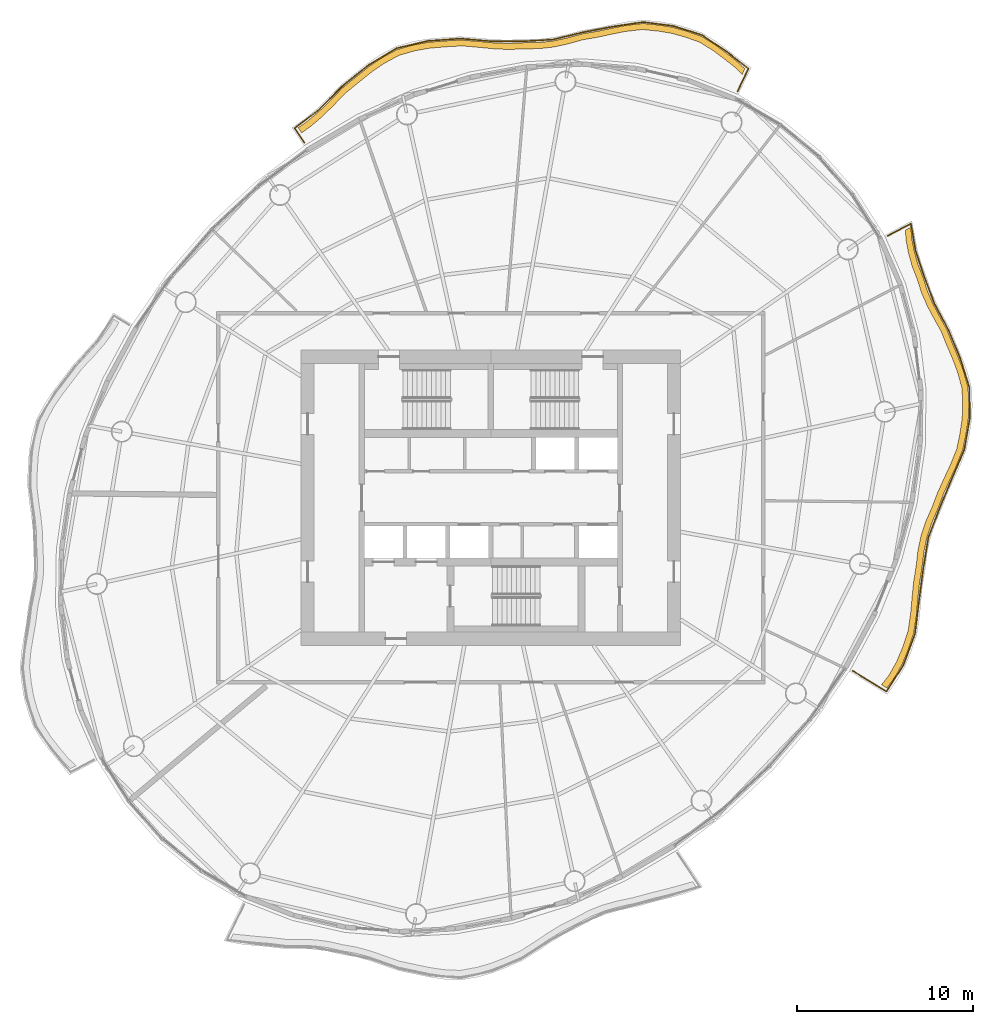
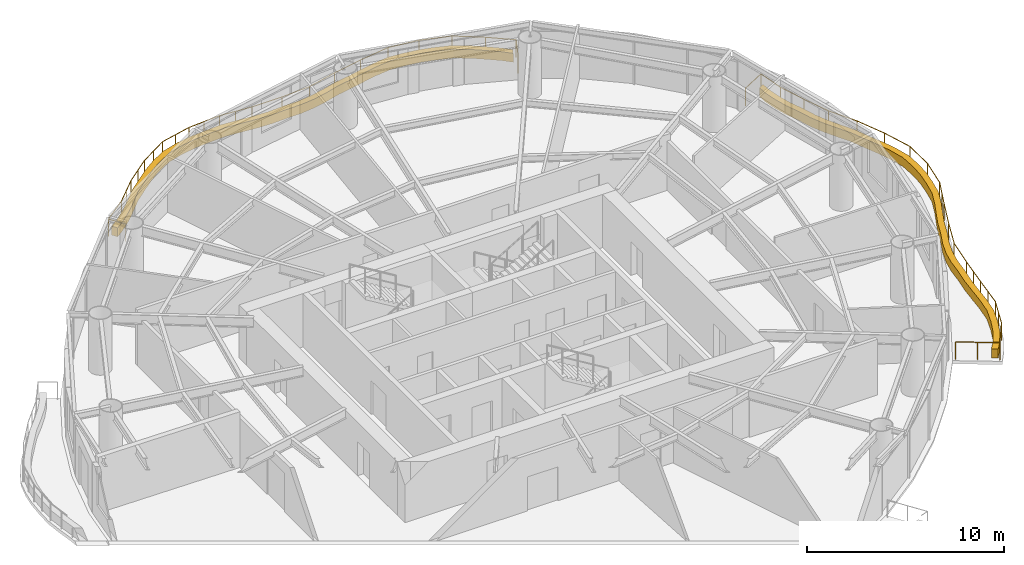
# One storey, part 14 of 14: 2 coverings, 2 railings.
"""IFC4 building model written with IfcOpenShell, lengths in metres."""

import ifcopenshell
import ifcopenshell.guid

model = None  # the IFC model being written
_history = None  # IfcOwnerHistory: only IFC2X3 demands one
_inside = {}  # id of a spatial element -> (the spatial element, [elements in it])
_under = {}  # id of a project, library or spatial element -> (it, [spatial elements below it])
_declared = {}  # id of a project -> (the project, [libraries it declares])
_typed = {}  # id of a type object -> (the type object, [elements of that type])
_made_of = {}  # id of a material, layer set ... -> (it, [elements and type objects made of it])


def new_model(schema):
    """Start an empty IFC model of exactly this schema.

    Asked for "IFC4X3", IfcOpenShell would pick the latest addendum, in which some entities
    have other attributes; the version numbers below select the first issue.
    IFC2X3 requires an IfcOwnerHistory on every rooted entity: one is made here for all.
    """
    global model, _history
    if schema == "IFC4X3":
        model = ifcopenshell.file(schema_version=(4, 3, 0, 0))
    else:
        model = ifcopenshell.file(schema=schema)
    _inside.clear()
    _under.clear()
    _declared.clear()
    _typed.clear()
    _made_of.clear()
    _history = None
    if model.schema == "IFC2X3":
        org = make("IfcOrganization", Name="unknown")
        user = make(
            "IfcPersonAndOrganization",
            ThePerson=make("IfcPerson", FamilyName="unknown"),
            TheOrganization=org,
        )
        app = make(
            "IfcApplication",
            ApplicationDeveloper=org,
            Version="unknown",
            ApplicationFullName="unknown",
            ApplicationIdentifier="unknown",
        )
        _history = make(
            "IfcOwnerHistory",
            OwningUser=user,
            OwningApplication=app,
            ChangeAction="ADDED",
            CreationDate=0,
        )
    return model


def make(cls, **values):
    """One entity of the class cls with the attributes given. An attribute that is None is left unset."""
    return model.create_entity(
        cls, **{name: value for name, value in values.items() if value is not None}
    )


def rooted(cls, **values):
    """An entity with a GlobalId (a new one), such as an element, a storey or a relation."""
    return make(cls, GlobalId=ifcopenshell.guid.new(), OwnerHistory=_history, **values)


def si_unit(unit_type, name, prefix=None):
    """IfcSIUnit, for example si_unit("LENGTHUNIT", "METRE", prefix="MILLI")."""
    return make("IfcSIUnit", UnitType=unit_type, Prefix=prefix, Name=name)


def assignment(units):
    """IfcUnitAssignment: the units of a project."""
    return None if units is None else make("IfcUnitAssignment", Units=units)


def point(xyz):
    """IfcCartesianPoint."""
    return None if xyz is None else make("IfcCartesianPoint", Coordinates=xyz)


def direction(xyz):
    """IfcDirection."""
    return None if xyz is None else make("IfcDirection", DirectionRatios=xyz)


def frame(location, z_axis=None, x_axis=None):
    """IfcAxis2Placement3D, a coordinate frame: its origin and axes. An axis left out is left unset."""
    return make(
        "IfcAxis2Placement3D",
        Location=point(location),
        Axis=direction(z_axis),
        RefDirection=direction(x_axis),
    )


def frame_2d(location, x_axis=None):
    """IfcAxis2Placement2D, a coordinate frame in the plane: its origin and x axis."""
    return make(
        "IfcAxis2Placement2D", Location=point(location), RefDirection=direction(x_axis)
    )


def origin():
    """The frame at (0, 0, 0) with its axes left unset."""
    return frame((0.0, 0.0, 0.0))


def origin_2d():
    """The frame at (0, 0) in the plane with its x axis left unset."""
    return frame_2d((0.0, 0.0))


def place(relative_to, where):
    """IfcLocalPlacement: puts the frame where relative to a parent placement (None: the world)."""
    return make(
        "IfcLocalPlacement", PlacementRelTo=relative_to, RelativePlacement=where
    )


def context(
    kind, dimensions, precision=None, world=None, true_north=None, identifier=None
):
    """IfcGeometricRepresentationContext, for example the 3D "Model" context."""
    return make(
        "IfcGeometricRepresentationContext",
        ContextIdentifier=identifier,
        ContextType=kind,
        CoordinateSpaceDimension=dimensions,
        Precision=precision,
        WorldCoordinateSystem=world,
        TrueNorth=true_north,
    )


def subcontext(parent, identifier, kind, view, scale=None):
    """IfcGeometricRepresentationSubContext, for example "Body" below "Model"."""
    return make(
        "IfcGeometricRepresentationSubContext",
        ContextIdentifier=identifier,
        ContextType=kind,
        ParentContext=parent,
        TargetScale=scale,
        TargetView=view,
    )


def project(units=None, contexts=None):
    """IfcProject with its units and contexts."""
    return rooted(
        "IfcProject",
        Name="project",
        RepresentationContexts=contexts,
        UnitsInContext=assignment(units),
    )


def spatial(cls, under=None, at=None, **own):
    """A site, building, storey or space (cls), placed at a placement, below another one or the project."""
    s = rooted(cls, ObjectPlacement=at, **own)
    if under is not None:
        _under.setdefault(under.id(), (under, []))[1].append(s)
    return s


def polyline(points):
    """IfcPolyline through the points."""
    return make("IfcPolyline", Points=[point(p) for p in points])


def profile(cls, at=None, kind="AREA", **sizes):
    """A parametric profile (cls). Its sizes go by their IFC names, for example OverallWidth=200.0."""
    return make(cls, ProfileType=kind, Position=at, **sizes)


def circle(**sizes):
    """IfcCircleProfileDef."""
    return profile("IfcCircleProfileDef", **sizes)


def outline(outer, holes=None, kind="AREA"):
    """IfcArbitraryClosedProfileDef: a profile drawn as a closed curve; with holes, ...WithVoids."""
    if holes is None:
        return make("IfcArbitraryClosedProfileDef", ProfileType=kind, OuterCurve=outer)
    return make(
        "IfcArbitraryProfileDefWithVoids",
        ProfileType=kind,
        OuterCurve=outer,
        InnerCurves=holes,
    )


def extrude(swept, where, along, depth):
    """IfcExtrudedAreaSolid: the profile swept, set in the frame where, extruded along a direction by depth."""
    return make(
        "IfcExtrudedAreaSolid",
        SweptArea=swept,
        Position=where,
        ExtrudedDirection=direction(along),
        Depth=depth,
    )


def shape(context_of_items, identifier, shape_type, items):
    """IfcShapeRepresentation: the items that make up one representation, for example the "Body"."""
    return make(
        "IfcShapeRepresentation",
        ContextOfItems=context_of_items,
        RepresentationIdentifier=identifier,
        RepresentationType=shape_type,
        Items=items,
    )


def material(Name=None, Category=None):
    """IfcMaterial."""
    return make("IfcMaterial", Name=Name, Category=Category)


def made_of(thing, what):
    """Note that an element or type object is made of a material, layer set ...; save() writes the relation."""
    if what is not None:
        _made_of.setdefault(what.id(), (what, []))[1].append(thing)
    return thing


def type_object(cls, material=None, **own):
    """A type object (cls), such as IfcWallType, which elements share."""
    return made_of(rooted(cls, **own), material)


def element(
    cls,
    number,
    at=None,
    inside=None,
    cuts=None,
    type_object=None,
    material=None,
    context=None,
    identifier="Body",
    shape_type=None,
    held_by="IfcProductDefinitionShape",
    body=None,
    shapes=None,
    **own,
):
    """One element of the class cls, such as IfcWall. Its Tag is "e" and its number.

    at: its placement. inside: the storey or other place that contains it. cuts: it is an
    opening in that element (IfcRelVoidsElement). A single representation is given by context,
    identifier, shape_type and body (its items); several are given by shapes. held_by: the class
    of the entity that holds the representations. save() writes the other relations.
    """
    e = rooted(cls, Tag="e%d" % number, ObjectPlacement=at, **own)
    if body is not None:
        shapes = [shape(context, identifier, shape_type, body)]
    if shapes is not None:
        e.Representation = make(held_by, Representations=shapes)
    if inside is not None:
        _inside.setdefault(inside.id(), (inside, []))[1].append(e)
    if cuts is not None:
        rooted(
            "IfcRelVoidsElement", RelatingBuildingElement=cuts, RelatedOpeningElement=e
        )
    if type_object is not None:
        _typed.setdefault(type_object.id(), (type_object, []))[1].append(e)
    return made_of(e, material)


def aggregate(whole, parts):
    """IfcRelAggregates: a whole, such as a stair, and the parts it consists of."""
    return rooted("IfcRelAggregates", RelatingObject=whole, RelatedObjects=parts)


def save(model, path):
    """Write the relations noted so far, then the file.

    IfcRelAggregates (storeys below a building ...), IfcRelContainedInSpatialStructure (elements
    in a storey), IfcRelDefinesByType, IfcRelAssociatesMaterial and IfcRelDeclares: one each for
    every whole, place, type object, material and project.
    """
    for whole, parts in _under.values():
        aggregate(whole, parts)
    for where, things in _inside.values():
        rooted(
            "IfcRelContainedInSpatialStructure",
            RelatedElements=things,
            RelatingStructure=where,
        )
    for kind, things in _typed.values():
        rooted("IfcRelDefinesByType", RelatedObjects=things, RelatingType=kind)
    for what, things in _made_of.values():
        rooted("IfcRelAssociatesMaterial", RelatedObjects=things, RelatingMaterial=what)
    for by, libraries in _declared.values():
        rooted("IfcRelDeclares", RelatingContext=by, RelatedDefinitions=libraries)
    model.write(path)


model = new_model("IFC4")

# Units and contexts
model_context = context("Model", 3, precision=1e-05, world=origin(), true_north=direction((0.0, 1.0)))
body_context = subcontext(model_context, "Body", "Model", "MODEL_VIEW")
ifc_project = project(units=[si_unit("LENGTHUNIT", "METRE"), si_unit("AREAUNIT", "SQUARE_METRE"), si_unit("VOLUMEUNIT", "CUBIC_METRE"), si_unit("PLANEANGLEUNIT", "RADIAN"), si_unit("MASSUNIT", "GRAM", prefix="KILO")], contexts=[model_context])

# Site, building, storey
site_placement = place(None, origin())
site = spatial("IfcSite", under=ifc_project, at=site_placement, CompositionType="ELEMENT")
building_placement = place(site_placement, origin())
building = spatial("IfcBuilding", under=site, at=building_placement, Name="Vermilion Reach Broadcast Tower", CompositionType="ELEMENT")
storey_placement = place(building_placement, frame((0.0, 0.0, 217.300048828125)))
storey = spatial("IfcBuildingStorey", under=building, at=storey_placement, Name="L53", CompositionType="ELEMENT", Elevation=217.300048828125)

# Coverings
ifc_material_1 = material(Name="Planting soil and greenery")
covering_type = type_object("IfcCoveringType", Name="Balcony PLANTER", PredefinedType="USERDEFINED", material=ifc_material_1)
placement = place(storey_placement, origin())
element("IfcCovering", 1, at=placement, inside=storey, type_object=covering_type, Name="PLANTER L53 group 1", ObjectType="PLANTER", PredefinedType="USERDEFINED", context=body_context, shape_type="SweptSolid", body=[
    extrude(outline(polyline([(8.4638671875, 24.418701171875), (8.019775390625, 24.831298828125), (7.40576171875, 25.314697265625), (6.784423828125, 25.779052734375), (5.987060546875, 26.267822265625), (5.09716796875, 26.578369140625), (4.359375, 26.779541015625), (3.6044921875, 26.905517578125), (2.674560546875, 26.998046875), (1.716796875, 26.89453125), (0.91796875, 26.737060546875), (0.117919921875, 26.564453125), (-0.77685546875, 26.412353515625), (-1.665283203125, 26.173095703125), (-2.461181640625, 26.0029296875), (-3.26123046875, 25.911865234375), (-4.135498046875, 25.902587890625), (-5.037353515625, 25.860107421875), (-5.8828125, 25.899169921875), (-6.736328125, 25.982421875), (-7.706298828125, 26.059814453125), (-8.693115234375, 26.00048828125), (-9.55517578125, 25.927978515625), (-10.394775390625, 25.783447265625), (-11.343994140625, 25.51025390625), (-12.231201171875, 25.032958984375), (-12.952392578125, 24.53515625), (-13.647216796875, 23.97802734375), (-14.417724609375, 23.35107421875), (-15.1240234375, 22.633056640625), (-15.766845703125, 21.999755859375), (-16.446044921875, 21.42822265625), (-16.96435546875, 21.060302734375), (-16.770263671875, 20.76904296875), (-16.268310546875, 21.126708984375), (-15.589111328125, 21.6982421875), (-14.9462890625, 22.33154296875), (-14.25732421875, 23.0400390625), (-13.504638671875, 23.658447265625), (-12.809814453125, 24.215576171875), (-12.088623046875, 24.713623046875), (-11.22021484375, 25.18310546875), (-10.2900390625, 25.449462890625), (-9.45068359375, 25.593994140625), (-8.588623046875, 25.666259765625), (-7.622314453125, 25.72021484375), (-6.67333984375, 25.63818359375), (-5.81982421875, 25.554931640625), (-4.97412109375, 25.515869140625), (-4.0947265625, 25.554931640625), (-3.24267578125, 25.562255859375), (-2.442626953125, 25.6533203125), (-1.646728515625, 25.823486328125), (-0.781982421875, 26.0625), (0.089111328125, 26.215576171875), (0.88916015625, 26.388427734375), (1.68798828125, 26.545654296875), (2.62109375, 26.652099609375), (3.5263671875, 26.564208984375), (4.28125, 26.438232421875), (5.01904296875, 26.2373046875), (5.8837890625, 25.933349609375), (6.656494140625, 25.453369140625), (7.278076171875, 24.989013671875), (7.89208984375, 24.50537109375), (8.311279296875, 24.103759765625), (8.4638671875, 24.418701171875)])), origin(), (0.0, 0.0, 1.0), 0.550048828125),
])
element("IfcCovering", 2, at=placement, inside=storey, type_object=covering_type, Name="PLANTER L53 group 4", ObjectType="PLANTER", PredefinedType="USERDEFINED", context=body_context, shape_type="SweptSolid", body=[
    extrude(outline(polyline([(16.538330078125, -10.824951171875), (16.971923828125, -10.260498046875), (17.401611328125, -9.49755859375), (17.743408203125, -8.687255859375), (18.06689453125, -7.7265625), (18.2197265625, -6.726318359375), (18.30029296875, -5.829833984375), (18.387451171875, -4.936279296875), (18.5419921875, -3.991943359375), (18.6513671875, -3.07177734375), (18.826416015625, -2.244384765625), (19.09228515625, -1.441650390625), (19.462890625, -0.58935546875), (19.787109375, 0.27294921875), (20.141845703125, 1.054931640625), (20.50732421875, 1.83544921875), (20.87158203125, 2.75537109375), (21.0595703125, 3.6943359375), (21.1767578125, 4.496337890625), (21.211669921875, 5.2998046875), (21.16455078125, 6.265869140625), (20.916748046875, 7.1875), (20.63134765625, 7.94189453125), (20.310546875, 8.69189453125), (19.9677734375, 9.553466796875), (19.532470703125, 10.34521484375), (19.166748046875, 11.0380859375), (18.859375, 11.74658203125), (18.60205078125, 12.549560546875), (18.302978515625, 13.321044921875), (18.10009765625, 14.048583984375), (17.951416015625, 14.800048828125), (17.913330078125, 15.404296875), (17.604248046875, 15.239990234375), (17.630615234375, 14.66015625), (17.779296875, 13.90869140625), (17.982177734375, 13.180908203125), (18.271728515625, 12.433837890625), (18.521240234375, 11.65576171875), (18.828857421875, 10.947265625), (19.1943359375, 10.25439453125), (19.6240234375, 9.48681640625), (19.963134765625, 8.64990234375), (20.283935546875, 7.89990234375), (20.5693359375, 7.1455078125), (20.81494140625, 6.24755859375), (20.861572265625, 5.304931640625), (20.82666015625, 4.501708984375), (20.709716796875, 3.69970703125), (20.522705078125, 2.782958984375), (20.160888671875, 1.885498046875), (19.79541015625, 1.10498046875), (19.440673828125, 0.322998046875), (19.1201171875, -0.518310546875), (18.75439453125, -1.349609375), (18.48876953125, -2.15234375), (18.3134765625, -2.979736328125), (18.210205078125, -3.88037109375), (18.062744140625, -4.8056640625), (17.9755859375, -5.69921875), (17.89501953125, -6.595703125), (17.750244140625, -7.577880859375), (17.435546875, -8.52099609375), (17.09375, -9.331298828125), (16.663818359375, -10.09423828125), (16.239990234375, -10.641845703125), (16.538330078125, -10.824951171875)])), origin(), (0.0, 0.0, 1.0), 0.550048828125),
])

# Railings
ifc_material_2 = material(Name="Stainless steel 316 balustrade", Category="steel")
railing_type = type_object("IfcRailingType", Name="Balcony guard 1100", PredefinedType="BALUSTRADE", material=ifc_material_2)
railing_1_placement = place(storey_placement, frame((8.042236328125, 23.136962890625, 0.0)))
element("IfcRailing", 3, at=railing_1_placement, inside=storey, type_object=railing_type, Name="Balcony guard L53 group 1", PredefinedType="BALUSTRADE", context=body_context, shape_type="SweptSolid", body=[
    extrude(circle(Radius=0.02490234375, at=origin_2d()), frame((0.0, 0.0, 1.0751953125), z_axis=(0.436055834945, 0.899919612416, 0.0), x_axis=(-0.899919612416, 0.436055834945, 0.0)), (0.0, 0.0, 1.0), 1.43115234375),
    extrude(circle(Radius=0.02490234375, at=origin_2d()), frame((0.6240234375, 1.287841796875, 1.0751953125), z_axis=(-0.787254576983, 0.616628114036, 0.0), x_axis=(-0.616628114036, -0.787254576983, 0.0)), (0.0, 0.0, 1.0), 1.56396484375),
    extrude(circle(Radius=0.02490234375, at=origin_2d()), frame((-0.607177734375, 2.252197265625, 1.0751953125), z_axis=(-0.830602087343, 0.556866386579, 0.0), x_axis=(-0.556866386579, -0.830602087343, 0.0)), (0.0, 0.0, 1.0), 1.715087890625),
    extrude(circle(Radius=0.02490234375, at=origin_2d()), frame((-2.03173828125, 3.207275390625, 1.0751953125), z_axis=(-0.954017022159, 0.299752433569, 0.0), x_axis=(-0.299752433569, -0.954017022159, 0.0)), (0.0, 0.0, 1.0), 1.7119140625),
    extrude(circle(Radius=0.02490234375, at=origin_2d()), frame((-3.6650390625, 3.720458984375, 1.0751953125), z_axis=(-0.991657814306, 0.128898329416, 0.0), x_axis=(-0.128898329416, -0.991657814306, 0.0)), (0.0, 0.0, 1.0), 1.70458984375),
    extrude(circle(Radius=0.02490234375, at=origin_2d()), frame((-5.35546875, 3.940185546875, 1.0751953125), z_axis=(-0.989269589702, -0.146101604686, 0.0), x_axis=(0.146101604686, -0.989269589702, 0.0)), (0.0, 0.0, 1.0), 1.78125),
    extrude(circle(Radius=0.02490234375, at=origin_2d()), frame((-7.11767578125, 3.679931640625, 1.0751953125), z_axis=(-0.982273073915, -0.187455616777, 0.0), x_axis=(0.187455616777, -0.982273073915, 0.0)), (0.0, 0.0, 1.0), 1.73095703125),
    extrude(circle(Radius=0.02490234375, at=origin_2d()), frame((-8.81787109375, 3.35546875, 1.0751953125), z_axis=(-0.971844259646, -0.235624139241, 0.0), x_axis=(0.235624139241, -0.971844259646, 0.0)), (0.0, 0.0, 1.0), 1.73876953125),
    extrude(circle(Radius=0.02490234375, at=origin_2d()), frame((-10.507568359375, 2.94580078125, 1.0751953125), z_axis=(-0.99820311024, -0.059921204147, 0.0), x_axis=(0.059921204147, -0.99820311024, 0.0)), (0.0, 0.0, 1.0), 1.6826171875),
    extrude(circle(Radius=0.02490234375, at=origin_2d()), frame((-12.187255859375, 2.844970703125, 1.0751953125), z_axis=(-0.999997194695, -0.002368671076, 0.0), x_axis=(0.002368671076, -0.999997194695, 0.0)), (0.0, 0.0, 1.0), 1.752197265625),
    extrude(circle(Radius=0.02490234375, at=origin_2d()), frame((-13.939453125, 2.8408203125, 1.0751953125), z_axis=(-0.996207568015, 0.087008513553, 0.0), x_axis=(-0.087008513553, -0.996207568015, 0.0)), (0.0, 0.0, 1.0), 1.835205078125),
    extrude(circle(Radius=0.02490234375, at=origin_2d()), frame((-15.767578125, 3.00048828125, 1.0751953125), z_axis=(-0.997424579026, -0.071723142388, 0.0), x_axis=(0.071723142388, -0.997424579026, 0.0)), (0.0, 0.0, 1.0), 1.858642578125),
    extrude(circle(Radius=0.02490234375, at=origin_2d()), frame((-17.621337890625, 2.8671875, 1.0751953125), z_axis=(-0.973777607354, -0.227502025081, 0.0), x_axis=(0.227502025081, -0.973777607354, 0.0)), (0.0, 0.0, 1.0), 1.841552734375),
    extrude(circle(Radius=0.02490234375, at=origin_2d()), frame((-19.41455078125, 2.4482421875, 1.0751953125), z_axis=(-0.855291725986, -0.518146758613, 0.0), x_axis=(0.518146758613, -0.855291725986, 0.0)), (0.0, 0.0, 1.0), 1.8857421875),
    extrude(circle(Radius=0.02490234375, at=origin_2d()), frame((-21.02734375, 1.47119140625, 1.0751953125), z_axis=(-0.778162315831, -0.628063221516, 0.0), x_axis=(0.628063221516, -0.778162315831, 0.0)), (0.0, 0.0, 1.0), 1.888427734375),
    extrude(circle(Radius=0.02490234375, at=origin_2d()), frame((-22.496826171875, 0.28515625, 1.0751953125), z_axis=(-0.706915386751, -0.707298123831, 0.0), x_axis=(0.707298123831, -0.706915386751, 0.0)), (0.0, 0.0, 1.0), 1.91357421875),
    extrude(circle(Radius=0.02490234375, at=origin_2d()), frame((-23.849609375, -1.068359375, 1.0751953125), z_axis=(-0.795458016537, -0.606008699547, 0.0), x_axis=(0.606008699547, -0.795458016537, 0.0)), (0.0, 0.0, 1.0), 1.704833984375),
    extrude(circle(Radius=0.02490234375, at=origin_2d()), frame((-25.205810546875, -2.1015625, 1.0751953125), z_axis=(0.554470659844, -0.832203272868, 0.0), x_axis=(0.832203272868, 0.554470659844, 0.0)), (0.0, 0.0, 1.0), 0.98193359375),
    extrude(circle(Radius=0.02490234375, at=origin_2d()), origin(), (0.0, 0.0, 1.0), 1.050048828125),
    extrude(circle(Radius=0.02490234375, at=origin_2d()), frame((0.6240234375, 1.287841796875, 0.0)), (0.0, 0.0, 1.0), 1.050048828125),
    extrude(circle(Radius=0.02490234375, at=origin_2d()), frame((-0.607177734375, 2.252197265625, 0.0)), (0.0, 0.0, 1.0), 1.050048828125),
    extrude(circle(Radius=0.02490234375, at=origin_2d()), frame((-2.03173828125, 3.207275390625, 0.0)), (0.0, 0.0, 1.0), 1.050048828125),
    extrude(circle(Radius=0.02490234375, at=origin_2d()), frame((-3.6650390625, 3.720458984375, 0.0)), (0.0, 0.0, 1.0), 1.050048828125),
    extrude(circle(Radius=0.02490234375, at=origin_2d()), frame((-5.35546875, 3.940185546875, 0.0)), (0.0, 0.0, 1.0), 1.050048828125),
    extrude(circle(Radius=0.02490234375, at=origin_2d()), frame((-7.11767578125, 3.679931640625, 0.0)), (0.0, 0.0, 1.0), 1.050048828125),
    extrude(circle(Radius=0.02490234375, at=origin_2d()), frame((-8.81787109375, 3.35546875, 0.0)), (0.0, 0.0, 1.0), 1.050048828125),
    extrude(circle(Radius=0.02490234375, at=origin_2d()), frame((-10.507568359375, 2.94580078125, 0.0)), (0.0, 0.0, 1.0), 1.050048828125),
    extrude(circle(Radius=0.02490234375, at=origin_2d()), frame((-12.187255859375, 2.844970703125, 0.0)), (0.0, 0.0, 1.0), 1.050048828125),
    extrude(circle(Radius=0.02490234375, at=origin_2d()), frame((-13.939453125, 2.8408203125, 0.0)), (0.0, 0.0, 1.0), 1.050048828125),
    extrude(circle(Radius=0.02490234375, at=origin_2d()), frame((-14.853515625, 2.920654296875, 0.0)), (0.0, 0.0, 1.0), 1.050048828125),
    extrude(circle(Radius=0.02490234375, at=origin_2d()), frame((-15.767578125, 3.00048828125, 0.0)), (0.0, 0.0, 1.0), 1.050048828125),
    extrude(circle(Radius=0.02490234375, at=origin_2d()), frame((-16.6943359375, 2.933837890625, 0.0)), (0.0, 0.0, 1.0), 1.050048828125),
    extrude(circle(Radius=0.02490234375, at=origin_2d()), frame((-17.621337890625, 2.8671875, 0.0)), (0.0, 0.0, 1.0), 1.050048828125),
    extrude(circle(Radius=0.02490234375, at=origin_2d()), frame((-18.51806640625, 2.65771484375, 0.0)), (0.0, 0.0, 1.0), 1.050048828125),
    extrude(circle(Radius=0.02490234375, at=origin_2d()), frame((-19.41455078125, 2.4482421875, 0.0)), (0.0, 0.0, 1.0), 1.050048828125),
    extrude(circle(Radius=0.02490234375, at=origin_2d()), frame((-20.220947265625, 1.959716796875, 0.0)), (0.0, 0.0, 1.0), 1.050048828125),
    extrude(circle(Radius=0.02490234375, at=origin_2d()), frame((-21.02734375, 1.47119140625, 0.0)), (0.0, 0.0, 1.0), 1.050048828125),
    extrude(circle(Radius=0.02490234375, at=origin_2d()), frame((-21.76220703125, 0.878173828125, 0.0)), (0.0, 0.0, 1.0), 1.050048828125),
    extrude(circle(Radius=0.02490234375, at=origin_2d()), frame((-22.496826171875, 0.28515625, 0.0)), (0.0, 0.0, 1.0), 1.050048828125),
    extrude(circle(Radius=0.02490234375, at=origin_2d()), frame((-23.17333984375, -0.3916015625, 0.0)), (0.0, 0.0, 1.0), 1.050048828125),
    extrude(circle(Radius=0.02490234375, at=origin_2d()), frame((-23.849609375, -1.068359375, 0.0)), (0.0, 0.0, 1.0), 1.050048828125),
    extrude(circle(Radius=0.02490234375, at=origin_2d()), frame((-25.205810546875, -2.1015625, 0.0)), (0.0, 0.0, 1.0), 1.050048828125),
    extrude(circle(Radius=0.02490234375, at=origin_2d()), frame((-24.661376953125, -2.918701171875, 0.0)), (0.0, 0.0, 1.0), 1.050048828125),
])
railing_2_placement = place(storey_placement, frame((14.604248046875, -9.849609375, 0.0)))
element("IfcRailing", 4, at=railing_2_placement, inside=storey, type_object=railing_type, Name="Balcony guard L53 group 4", PredefinedType="BALUSTRADE", context=body_context, shape_type="SweptSolid", body=[
    extrude(circle(Radius=0.02490234375, at=origin_2d()), frame((0.0, 0.0, 1.0751953125), z_axis=(0.85245140833, -0.522806461739, 0.0), x_axis=(0.522806461739, 0.85245140833, 0.0)), (0.0, 0.0, 1.0), 2.24853515625),
    extrude(circle(Radius=0.02490234375, at=origin_2d()), frame((1.916748046875, -1.175537109375, 1.0751953125), z_axis=(0.538206688092, 0.84281288605, 0.0), x_axis=(-0.84281288605, 0.538206688092, 0.0)), (0.0, 0.0, 1.0), 1.767333984375),
    extrude(circle(Radius=0.02490234375, at=origin_2d()), frame((2.867919921875, 0.31396484375, 1.0751953125), z_axis=(0.351842863794, 0.936059078903, 0.0), x_axis=(-0.936059078903, 0.351842863794, 0.0)), (0.0, 0.0, 1.0), 1.896484375),
    extrude(circle(Radius=0.02490234375, at=origin_2d()), frame((3.53515625, 2.089111328125, 1.0751953125), z_axis=(0.122763750039, 0.992435923209, 0.0), x_axis=(-0.992435923209, 0.122763750039, 0.0)), (0.0, 0.0, 1.0), 1.9150390625),
    extrude(circle(Radius=0.02490234375, at=origin_2d()), frame((3.770263671875, 3.98974609375, 1.0751953125), z_axis=(0.130838489705, 0.99140369659, 0.0), x_axis=(-0.99140369659, 0.130838489705, 0.0)), (0.0, 0.0, 1.0), 1.8583984375),
    extrude(circle(Radius=0.02490234375, at=origin_2d()), frame((4.013427734375, 5.832275390625, 1.0751953125), z_axis=(0.161052613929, 0.986945821992, 0.0), x_axis=(-0.986945821992, 0.161052613929, 0.0)), (0.0, 0.0, 1.0), 1.775146484375),
    extrude(circle(Radius=0.02490234375, at=origin_2d()), frame((4.29931640625, 7.584228515625, 1.0751953125), z_axis=(0.358546548693, 0.933511849106, 0.0), x_axis=(-0.933511849106, 0.358546548693, 0.0)), (0.0, 0.0, 1.0), 1.77783203125),
    extrude(circle(Radius=0.02490234375, at=origin_2d()), frame((4.936767578125, 9.243896484375, 1.0751953125), z_axis=(0.381162785068, 0.924507940084, 0.0), x_axis=(-0.924507940084, 0.381162785068, 0.0)), (0.0, 0.0, 1.0), 1.783935546875),
    extrude(circle(Radius=0.02490234375, at=origin_2d()), frame((5.61669921875, 10.89306640625, 1.0751953125), z_axis=(0.393696956808, 0.91924028752, 0.0), x_axis=(-0.91924028752, 0.393696956808, 0.0)), (0.0, 0.0, 1.0), 1.85546875),
    extrude(circle(Radius=0.02490234375, at=origin_2d()), frame((6.34716796875, 12.5986328125, 1.0751953125), z_axis=(0.172300148805, 0.985044495808, 0.0), x_axis=(-0.985044495808, 0.172300148805, 0.0)), (0.0, 0.0, 1.0), 1.772705078125),
    extrude(circle(Radius=0.02490234375, at=origin_2d()), frame((6.652587890625, 14.3447265625, 1.0751953125), z_axis=(-0.007014958066, 0.999975394879, 0.0), x_axis=(-0.999975394879, -0.007014958066, 0.0)), (0.0, 0.0, 1.0), 1.77490234375),
    extrude(circle(Radius=0.02490234375, at=origin_2d()), frame((6.64013671875, 16.11962890625, 1.0751953125), z_axis=(-0.302535227814, 0.953138204004, 0.0), x_axis=(-0.953138204004, -0.302535227814, 0.0)), (0.0, 0.0, 1.0), 1.76416015625),
    extrude(circle(Radius=0.02490234375, at=origin_2d()), frame((6.1064453125, 17.801025390625, 1.0751953125), z_axis=(-0.380089535052, 0.924949698818, 0.0), x_axis=(-0.924949698818, -0.380089535052, 0.0)), (0.0, 0.0, 1.0), 1.748291015625),
    extrude(circle(Radius=0.02490234375, at=origin_2d()), frame((5.44189453125, 19.418212890625, 1.0751953125), z_axis=(-0.473901946595, 0.880577620096, 0.0), x_axis=(-0.880577620096, -0.473901946595, 0.0)), (0.0, 0.0, 1.0), 1.6923828125),
    extrude(circle(Radius=0.02490234375, at=origin_2d()), frame((4.639892578125, 20.908447265625, 1.0751953125), z_axis=(-0.349851179292, 0.936805290521, 0.0), x_axis=(-0.936805290521, -0.349851179292, 0.0)), (0.0, 0.0, 1.0), 1.61962890625),
    extrude(circle(Radius=0.02490234375, at=origin_2d()), frame((4.0732421875, 22.42578125, 1.0751953125), z_axis=(-0.317704361888, 0.948189821944, 0.0), x_axis=(-0.948189821944, -0.317704361888, 0.0)), (0.0, 0.0, 1.0), 1.5869140625),
    extrude(circle(Radius=0.02490234375, at=origin_2d()), frame((3.569091796875, 23.930419921875, 1.0751953125), z_axis=(-0.168871909153, 0.98563800571, 0.0), x_axis=(-0.98563800571, -0.168871909153, 0.0)), (0.0, 0.0, 1.0), 1.54833984375),
    extrude(circle(Radius=0.02490234375, at=origin_2d()), frame((3.3076171875, 25.45654296875, 1.0751953125), z_axis=(-0.882813351797, -0.469723946473, 0.0), x_axis=(0.469723946473, -0.882813351797, 0.0)), (0.0, 0.0, 1.0), 1.495849609375),
    extrude(circle(Radius=0.02490234375, at=origin_2d()), origin(), (0.0, 0.0, 1.0), 1.050048828125),
    extrude(circle(Radius=0.02490234375, at=origin_2d()), frame((0.95849609375, -0.587890625, 0.0)), (0.0, 0.0, 1.0), 1.050048828125),
    extrude(circle(Radius=0.02490234375, at=origin_2d()), frame((1.916748046875, -1.175537109375, 0.0)), (0.0, 0.0, 1.0), 1.050048828125),
    extrude(circle(Radius=0.02490234375, at=origin_2d()), frame((2.867919921875, 0.31396484375, 0.0)), (0.0, 0.0, 1.0), 1.050048828125),
    extrude(circle(Radius=0.02490234375, at=origin_2d()), frame((3.20166015625, 1.20166015625, 0.0)), (0.0, 0.0, 1.0), 1.050048828125),
    extrude(circle(Radius=0.02490234375, at=origin_2d()), frame((3.53515625, 2.089111328125, 0.0)), (0.0, 0.0, 1.0), 1.050048828125),
    extrude(circle(Radius=0.02490234375, at=origin_2d()), frame((3.65283203125, 3.03955078125, 0.0)), (0.0, 0.0, 1.0), 1.050048828125),
    extrude(circle(Radius=0.02490234375, at=origin_2d()), frame((3.770263671875, 3.98974609375, 0.0)), (0.0, 0.0, 1.0), 1.050048828125),
    extrude(circle(Radius=0.02490234375, at=origin_2d()), frame((3.891845703125, 4.9111328125, 0.0)), (0.0, 0.0, 1.0), 1.050048828125),
    extrude(circle(Radius=0.02490234375, at=origin_2d()), frame((4.013427734375, 5.832275390625, 0.0)), (0.0, 0.0, 1.0), 1.050048828125),
    extrude(circle(Radius=0.02490234375, at=origin_2d()), frame((4.29931640625, 7.584228515625, 0.0)), (0.0, 0.0, 1.0), 1.050048828125),
    extrude(circle(Radius=0.02490234375, at=origin_2d()), frame((4.936767578125, 9.243896484375, 0.0)), (0.0, 0.0, 1.0), 1.050048828125),
    extrude(circle(Radius=0.02490234375, at=origin_2d()), frame((5.61669921875, 10.89306640625, 0.0)), (0.0, 0.0, 1.0), 1.050048828125),
    extrude(circle(Radius=0.02490234375, at=origin_2d()), frame((5.98193359375, 11.745849609375, 0.0)), (0.0, 0.0, 1.0), 1.050048828125),
    extrude(circle(Radius=0.02490234375, at=origin_2d()), frame((6.34716796875, 12.5986328125, 0.0)), (0.0, 0.0, 1.0), 1.050048828125),
    extrude(circle(Radius=0.02490234375, at=origin_2d()), frame((6.652587890625, 14.3447265625, 0.0)), (0.0, 0.0, 1.0), 1.050048828125),
    extrude(circle(Radius=0.02490234375, at=origin_2d()), frame((6.64013671875, 16.11962890625, 0.0)), (0.0, 0.0, 1.0), 1.050048828125),
    extrude(circle(Radius=0.02490234375, at=origin_2d()), frame((6.1064453125, 17.801025390625, 0.0)), (0.0, 0.0, 1.0), 1.050048828125),
    extrude(circle(Radius=0.02490234375, at=origin_2d()), frame((5.44189453125, 19.418212890625, 0.0)), (0.0, 0.0, 1.0), 1.050048828125),
    extrude(circle(Radius=0.02490234375, at=origin_2d()), frame((4.639892578125, 20.908447265625, 0.0)), (0.0, 0.0, 1.0), 1.050048828125),
    extrude(circle(Radius=0.02490234375, at=origin_2d()), frame((4.0732421875, 22.42578125, 0.0)), (0.0, 0.0, 1.0), 1.050048828125),
    extrude(circle(Radius=0.02490234375, at=origin_2d()), frame((3.569091796875, 23.930419921875, 0.0)), (0.0, 0.0, 1.0), 1.050048828125),
    extrude(circle(Radius=0.02490234375, at=origin_2d()), frame((3.3076171875, 25.45654296875, 0.0)), (0.0, 0.0, 1.0), 1.050048828125),
    extrude(circle(Radius=0.02490234375, at=origin_2d()), frame((1.987060546875, 24.75390625, 0.0)), (0.0, 0.0, 1.0), 1.050048828125),
])

save(model, "model.ifc")
